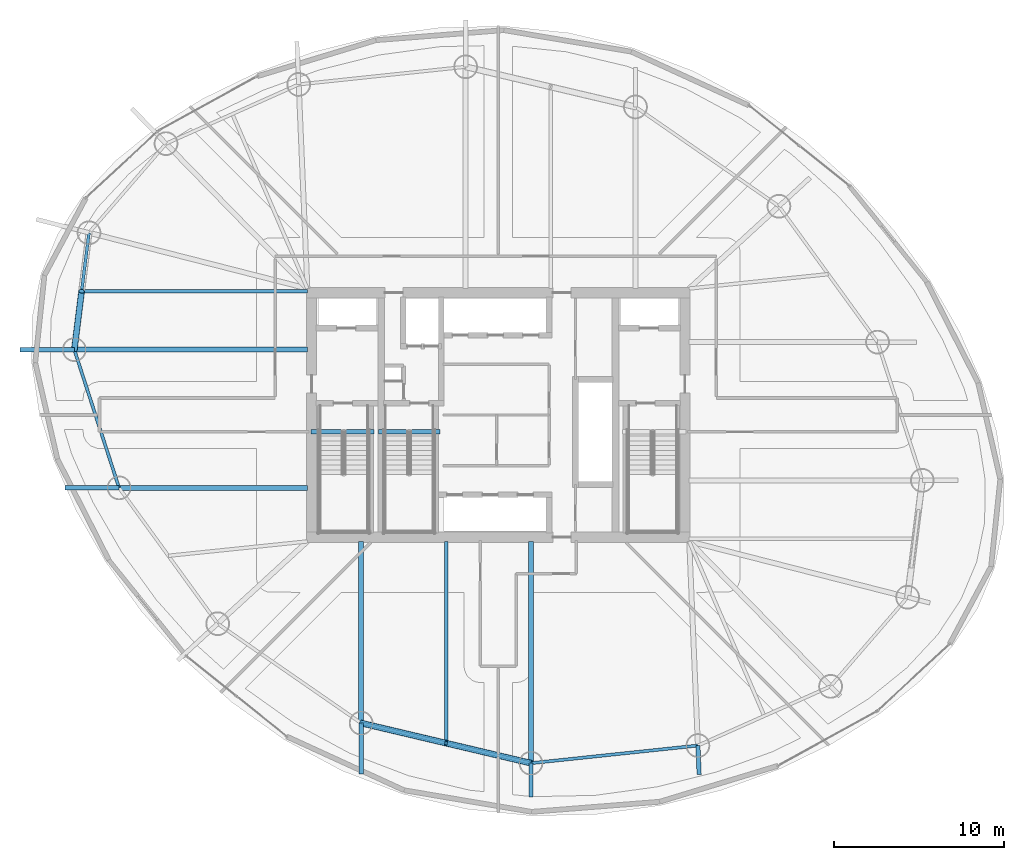
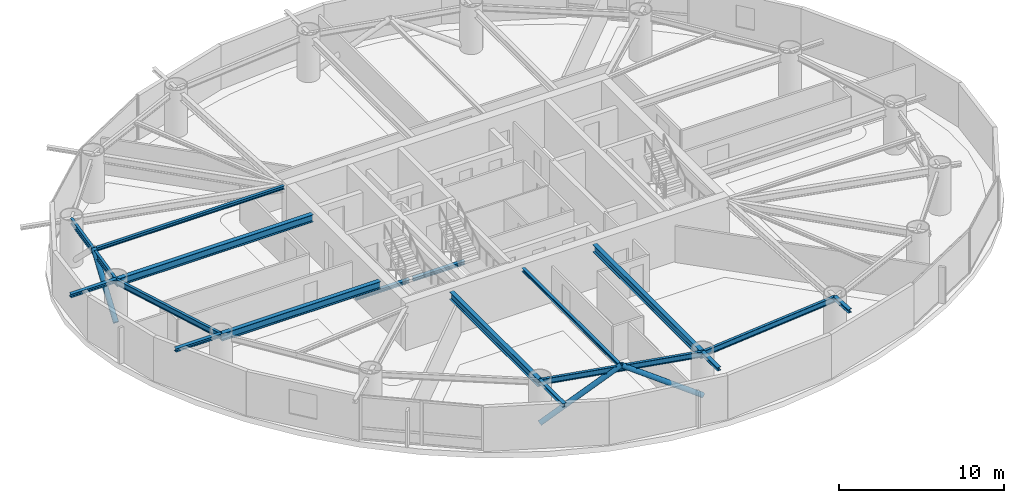
# One storey, part 4 of 21: 17 beams, 3 members.
"""IFC4 building model written with IfcOpenShell, lengths in metres."""

from ifc_helpers import new_model, si_unit, direction, frame, origin, origin_2d, place, context, subcontext, project, spatial, hollow_circle, i_section, extrude, material, material_profile, profile_set, type_object, element, save


model = new_model("IFC4")

# Units and contexts
model_context = context("Model", 3, precision=1e-05, world=origin(), true_north=direction((0.0, 1.0)))
body_context = subcontext(model_context, "Body", "Model", "MODEL_VIEW")
ifc_project = project(units=[si_unit("LENGTHUNIT", "METRE"), si_unit("AREAUNIT", "SQUARE_METRE"), si_unit("VOLUMEUNIT", "CUBIC_METRE"), si_unit("PLANEANGLEUNIT", "RADIAN"), si_unit("MASSUNIT", "GRAM", prefix="KILO")], contexts=[model_context])

# Site, building, storey
site_placement = place(None, origin())
site = spatial("IfcSite", under=ifc_project, at=site_placement, CompositionType="ELEMENT")
building_placement = place(site_placement, origin())
building = spatial("IfcBuilding", under=site, at=building_placement, Name="Bramvorn Convention Spire", CompositionType="ELEMENT")
storey_placement = place(building_placement, frame((0.0, 0.0, 102.800048828125)))
storey = spatial("IfcBuildingStorey", under=building, at=storey_placement, Name="L24", CompositionType="ELEMENT", Elevation=102.800048828125)

# Beams
ifc_material = material(Name="Steel CSA G40.21 Grade 350 (350W)", Category="steel")
ifc_material_profile_1 = material_profile(ifc_material, i_section(OverallWidth=0.201904296875, OverallDepth=0.2470703125, WebThickness=0.00732421875, FlangeThickness=0.010986328125, FilletRadius=0.011962890625, at=origin_2d()))
ifc_profile_set_1 = profile_set([ifc_material_profile_1], Name="Steel CSA G40.21 Grade 350 (350W) - W250X49")
beam_type_1 = type_object("IfcBeamType", Name="BM-W250X49", PredefinedType="JOIST", material=ifc_profile_set_1)
beam_1_placement = place(storey_placement, frame((26.75, 33.294921875, 3.136474609375), z_axis=(-1.0, 0.0, 0.0), x_axis=(0.0, -1.0, 0.0)))
element("IfcBeam", 1, at=beam_1_placement, inside=storey, type_object=beam_type_1, Name="L24 composite floor joist 09", PredefinedType="JOIST", context=body_context, shape_type="SweptSolid", body=[
    extrude(i_section(OverallWidth=0.201904296875, OverallDepth=0.2470703125, WebThickness=0.00732421875, FlangeThickness=0.010986328125, FilletRadius=0.011962890625, at=origin_2d()), origin(), (0.0, 0.0, 1.0), 13.30078125),
])
beam_2_placement = place(storey_placement, frame((34.920654296875, 18.550048828125, 3.136474609375), z_axis=(0.0, -1.0, 0.0), x_axis=(1.0, 0.0, 0.0)))
element("IfcBeam", 2, at=beam_2_placement, inside=storey, type_object=beam_type_1, Name="L24 composite floor joist 13", PredefinedType="JOIST", context=body_context, shape_type="SweptSolid", body=[
    extrude(i_section(OverallWidth=0.201904296875, OverallDepth=0.2470703125, WebThickness=0.00732421875, FlangeThickness=0.010986328125, FilletRadius=0.011962890625, at=origin_2d()), origin(), (0.0, 0.0, 1.0), 11.8857421875),
])
ifc_material_profile_2 = material_profile(ifc_material, i_section(OverallWidth=0.25390625, OverallDepth=0.2529296875, WebThickness=0.008544921875, FlangeThickness=0.01416015625, FilletRadius=0.011962890625, at=origin_2d()))
ifc_profile_set_2 = profile_set([ifc_material_profile_2], Name="Steel CSA G40.21 Grade 350 (350W) - W250X73")
beam_type_2 = type_object("IfcBeamType", Name="BM-W250X73", PredefinedType="BEAM", material=ifc_profile_set_2)
for number, where, z_axis, x_axis, name in (
    (3, (13.016357421875, 29.851806640625, 3.133544921875), (-1.0, 0.0, 0.0), (0.0, -1.0, 0.0), "L24 slab-edge cantilever tip beam MC10"),
    (4, (15.654296875, 21.706787109375, 3.133544921875), (-1.0, 0.0, 0.0), (0.0, -1.0, 0.0), "L24 slab-edge cantilever tip beam MC11"),
):
    element("IfcBeam", number, at=place(storey_placement, frame(where, z_axis=z_axis, x_axis=x_axis)), inside=storey, type_object=beam_type_2, Name=name, PredefinedType="BEAM", context=body_context, shape_type="SweptSolid", body=[
        extrude(i_section(OverallWidth=0.25390625, OverallDepth=0.2529296875, WebThickness=0.008544921875, FlangeThickness=0.01416015625, FilletRadius=0.011962890625, at=origin_2d()), origin(), (0.0, 0.0, 1.0), 3.199951171875),
    ])
beam_3_placement = place(storey_placement, frame((29.917236328125, 7.845947265625, 3.133544921875), z_axis=(0.0, -1.0, 0.0), x_axis=(1.0, 0.0, 0.0)))
element("IfcBeam", 5, at=beam_3_placement, inside=storey, type_object=beam_type_2, Name="L24 slab-edge cantilever tip beam MC13", PredefinedType="BEAM", context=body_context, shape_type="SweptSolid", body=[
    extrude(i_section(OverallWidth=0.25390625, OverallDepth=0.2529296875, WebThickness=0.008544921875, FlangeThickness=0.01416015625, FilletRadius=0.011962890625, at=origin_2d()), origin(), (0.0, 0.0, 1.0), 2.986572265625),
])
beam_4_placement = place(storey_placement, frame((39.924072265625, 5.482666015625, 3.133544921875), z_axis=(0.0, -1.0, 0.0), x_axis=(1.0, 0.0, 0.0)))
element("IfcBeam", 6, at=beam_4_placement, inside=storey, type_object=beam_type_2, Name="L24 slab-edge cantilever tip beam MC14", PredefinedType="BEAM", context=body_context, shape_type="SweptSolid", body=[
    extrude(i_section(OverallWidth=0.25390625, OverallDepth=0.2529296875, WebThickness=0.008544921875, FlangeThickness=0.01416015625, FilletRadius=0.011962890625, at=origin_2d()), origin(), (0.0, 0.0, 1.0), 1.999267578125),
])
beam_5_placement = place(storey_placement, frame((49.76171875, 6.521240234375, 3.133544921875), z_axis=(0.042502518319, -0.999096359685, 0.0), x_axis=(0.999096359685, 0.042502518319, 0.0)))
element("IfcBeam", 7, at=beam_5_placement, inside=storey, type_object=beam_type_2, Name="L24 slab-edge cantilever tip beam MC15", PredefinedType="BEAM", context=body_context, shape_type="SweptSolid", body=[
    extrude(i_section(OverallWidth=0.25390625, OverallDepth=0.2529296875, WebThickness=0.008544921875, FlangeThickness=0.01416015625, FilletRadius=0.011962890625, at=origin_2d()), origin(), (0.0, 0.0, 1.0), 1.7001953125),
])
beam_6_placement = place(storey_placement, frame((26.949951171875, 25.010009765625, -0.12646484375), z_axis=(1.0, 0.0, 0.0), x_axis=(0.0, 1.0, 0.0)))
element("IfcBeam", 8, at=beam_6_placement, inside=storey, type_object=beam_type_2, Name="L24 ST1 stair arrival header beam", PredefinedType="BEAM", context=body_context, shape_type="SweptSolid", body=[
    extrude(i_section(OverallWidth=0.25390625, OverallDepth=0.2529296875, WebThickness=0.008544921875, FlangeThickness=0.01416015625, FilletRadius=0.011962890625, at=origin_2d()), origin(), (0.0, 0.0, 1.0), 3.739990234375),
])
beam_7_placement = place(storey_placement, frame((30.949951171875, 25.010009765625, -0.12646484375), z_axis=(1.0, 0.0, 0.0), x_axis=(0.0, 1.0, 0.0)))
element("IfcBeam", 9, at=beam_7_placement, inside=storey, type_object=beam_type_2, Name="L24 ST3 stair arrival header beam", PredefinedType="BEAM", context=body_context, shape_type="SweptSolid", body=[
    extrude(i_section(OverallWidth=0.25390625, OverallDepth=0.2529296875, WebThickness=0.008544921875, FlangeThickness=0.01416015625, FilletRadius=0.011962890625, at=origin_2d()), origin(), (0.0, 0.0, 1.0), 3.610107421875),
])
ifc_material_profile_3 = material_profile(ifc_material, i_section(OverallWidth=0.180908203125, OverallDepth=0.4169921875, WebThickness=0.010986328125, FlangeThickness=0.018310546875, FilletRadius=0.01611328125, at=origin_2d()))
ifc_profile_set_3 = profile_set([ifc_material_profile_3], Name="Steel CSA G40.21 Grade 350 (350W) - W410X85")
beam_type_3 = type_object("IfcBeamType", Name="BM-W410X85", PredefinedType="JOIST", material=ifc_profile_set_3)
beam_8_placement = place(storey_placement, frame((13.88232421875, 36.73779296875, 3.051513671875), z_axis=(-0.124775053879, -0.992185056292, 0.0), x_axis=(0.992185056292, -0.124775053879, 0.0)))
element("IfcBeam", 10, at=beam_8_placement, inside=storey, type_object=beam_type_3, Name="L24 mega-column ring beam 09", PredefinedType="JOIST", context=body_context, shape_type="SweptSolid", body=[
    extrude(i_section(OverallWidth=0.180908203125, OverallDepth=0.4169921875, WebThickness=0.010986328125, FlangeThickness=0.018310546875, FilletRadius=0.01611328125, at=origin_2d()), origin(), (0.0, 0.0, 1.0), 6.940185546875),
])
beam_9_placement = place(storey_placement, frame((13.016357421875, 29.851806640625, 3.051513671875), z_axis=(0.308114853612, -0.951349166701, 0.0), x_axis=(0.951349166701, 0.308114853612, 0.0)))
element("IfcBeam", 11, at=beam_9_placement, inside=storey, type_object=beam_type_3, Name="L24 mega-column ring beam 10", PredefinedType="JOIST", context=body_context, shape_type="SweptSolid", body=[
    extrude(i_section(OverallWidth=0.180908203125, OverallDepth=0.4169921875, WebThickness=0.010986328125, FlangeThickness=0.018310546875, FilletRadius=0.01611328125, at=origin_2d()), origin(), (0.0, 0.0, 1.0), 8.5615234375),
])
beam_10_placement = place(storey_placement, frame((29.917236328125, 7.845947265625, 3.051513671875), z_axis=(0.97322750491, -0.229843911572, 0.0), x_axis=(0.229843911572, 0.97322750491, 0.0)))
element("IfcBeam", 12, at=beam_10_placement, inside=storey, type_object=beam_type_3, Name="L24 mega-column ring beam 13", PredefinedType="JOIST", context=body_context, shape_type="SweptSolid", body=[
    extrude(i_section(OverallWidth=0.180908203125, OverallDepth=0.4169921875, WebThickness=0.010986328125, FlangeThickness=0.018310546875, FilletRadius=0.01611328125, at=origin_2d()), origin(), (0.0, 0.0, 1.0), 10.2822265625),
])
beam_11_placement = place(storey_placement, frame((39.924072265625, 5.482666015625, 3.051513671875), z_axis=(0.994473491975, 0.104987969596, 0.0), x_axis=(-0.104987969596, 0.994473491975, 0.0)))
element("IfcBeam", 13, at=beam_11_placement, inside=storey, type_object=beam_type_3, Name="L24 mega-column ring beam 14", PredefinedType="JOIST", context=body_context, shape_type="SweptSolid", body=[
    extrude(i_section(OverallWidth=0.180908203125, OverallDepth=0.4169921875, WebThickness=0.010986328125, FlangeThickness=0.018310546875, FilletRadius=0.01611328125, at=origin_2d()), origin(), (0.0, 0.0, 1.0), 9.892333984375),
])
ifc_material_profile_4 = material_profile(ifc_material, i_section(OverallWidth=0.2919921875, OverallDepth=0.551025390625, WebThickness=0.01513671875, FlangeThickness=0.0244140625, FilletRadius=0.01904296875, at=origin_2d()))
ifc_profile_set_4 = profile_set([ifc_material_profile_4], Name="Steel CSA G40.21 Grade 350 (350W) - W530X182")
beam_type_4 = type_object("IfcBeamType", Name="BM-W530X182", PredefinedType="BEAM", material=ifc_profile_set_4)
beam_12_placement = place(storey_placement, frame((26.75, 29.851806640625, 2.984375), z_axis=(-1.0, 0.0, 0.0), x_axis=(0.0, -1.0, 0.0)))
element("IfcBeam", 14, at=beam_12_placement, inside=storey, type_object=beam_type_4, Name="L24 radial floor girder MC10", PredefinedType="BEAM", context=body_context, shape_type="SweptSolid", body=[
    extrude(i_section(OverallWidth=0.2919921875, OverallDepth=0.551025390625, WebThickness=0.01513671875, FlangeThickness=0.0244140625, FilletRadius=0.01904296875, at=origin_2d()), origin(), (0.0, 0.0, 1.0), 13.733642578125),
])
beam_13_placement = place(storey_placement, frame((26.75, 21.706787109375, 2.984375), z_axis=(-1.0, 0.0, 0.0), x_axis=(0.0, -1.0, 0.0)))
element("IfcBeam", 15, at=beam_13_placement, inside=storey, type_object=beam_type_4, Name="L24 radial floor girder MC11", PredefinedType="BEAM", context=body_context, shape_type="SweptSolid", body=[
    extrude(i_section(OverallWidth=0.2919921875, OverallDepth=0.551025390625, WebThickness=0.01513671875, FlangeThickness=0.0244140625, FilletRadius=0.01904296875, at=origin_2d()), origin(), (0.0, 0.0, 1.0), 11.095703125),
])
beam_14_placement = place(storey_placement, frame((29.917236328125, 18.550048828125, 2.984375), z_axis=(0.0, -1.0, 0.0), x_axis=(1.0, 0.0, 0.0)))
element("IfcBeam", 16, at=beam_14_placement, inside=storey, type_object=beam_type_4, Name="L24 radial floor girder MC13", PredefinedType="BEAM", context=body_context, shape_type="SweptSolid", body=[
    extrude(i_section(OverallWidth=0.2919921875, OverallDepth=0.551025390625, WebThickness=0.01513671875, FlangeThickness=0.0244140625, FilletRadius=0.01904296875, at=origin_2d()), origin(), (0.0, 0.0, 1.0), 10.7041015625),
])
beam_15_placement = place(storey_placement, frame((39.924072265625, 18.550048828125, 2.984375), z_axis=(0.0, -1.0, 0.0), x_axis=(1.0, 0.0, 0.0)))
element("IfcBeam", 17, at=beam_15_placement, inside=storey, type_object=beam_type_4, Name="L24 radial floor girder MC14", PredefinedType="BEAM", context=body_context, shape_type="SweptSolid", body=[
    extrude(i_section(OverallWidth=0.2919921875, OverallDepth=0.551025390625, WebThickness=0.01513671875, FlangeThickness=0.0244140625, FilletRadius=0.01904296875, at=origin_2d()), origin(), (0.0, 0.0, 1.0), 13.0673828125),
])

# Members
ifc_material_profile_5 = material_profile(ifc_material, hollow_circle(Radius=0.177734375, WallThickness=0.015869140625, at=origin_2d()))
ifc_profile_set_5 = profile_set([ifc_material_profile_5], Name="Steel CSA G40.21 Grade 350 (350W) - CHS356X16")
member_type = type_object("IfcMemberType", Name="MBR-CHS356X16", PredefinedType="BRACE", material=ifc_profile_set_5)
member_placement = place(storey_placement, frame((13.016357421875, 29.851806640625, 0.0), z_axis=(0.090966454148, 0.723116649599, 0.684709730683), x_axis=(-0.992180152714, 0.124814039917, 0.0)))
element("IfcMember", 18, at=member_placement, inside=storey, type_object=member_type, Name="L24 perimeter Gothic lancet brace 9B", PredefinedType="BRACE", context=body_context, shape_type="SweptSolid", body=[
    extrude(hollow_circle(Radius=0.177734375, WallThickness=0.015869140625, at=origin_2d()), origin(), (0.0, 0.0, 1.0), 4.76123046875),
])
for number, where, z_axis, x_axis, name in (
    (19, (29.917236328125, 7.845947265625, 0.0), (0.82191146009, -0.194108103193, 0.53552179792), (0.229843911572, 0.97322750491, 0.0), "L24 perimeter Gothic lancet brace 13A"),
    (20, (39.924072265625, 5.482666015625, 0.0), (-0.82191146009, 0.194108103193, 0.53552179792), (-0.229843911572, -0.97322750491, 0.0), "L24 perimeter Gothic lancet brace 13B"),
):
    element("IfcMember", number, at=place(storey_placement, frame(where, z_axis=z_axis, x_axis=x_axis)), inside=storey, type_object=member_type, Name=name, PredefinedType="BRACE", context=body_context, shape_type="SweptSolid", body=[
        extrude(hollow_circle(Radius=0.177734375, WallThickness=0.015869140625, at=origin_2d()), origin(), (0.0, 0.0, 1.0), 6.087646484375),
    ])

save(model, "model.ifc")
